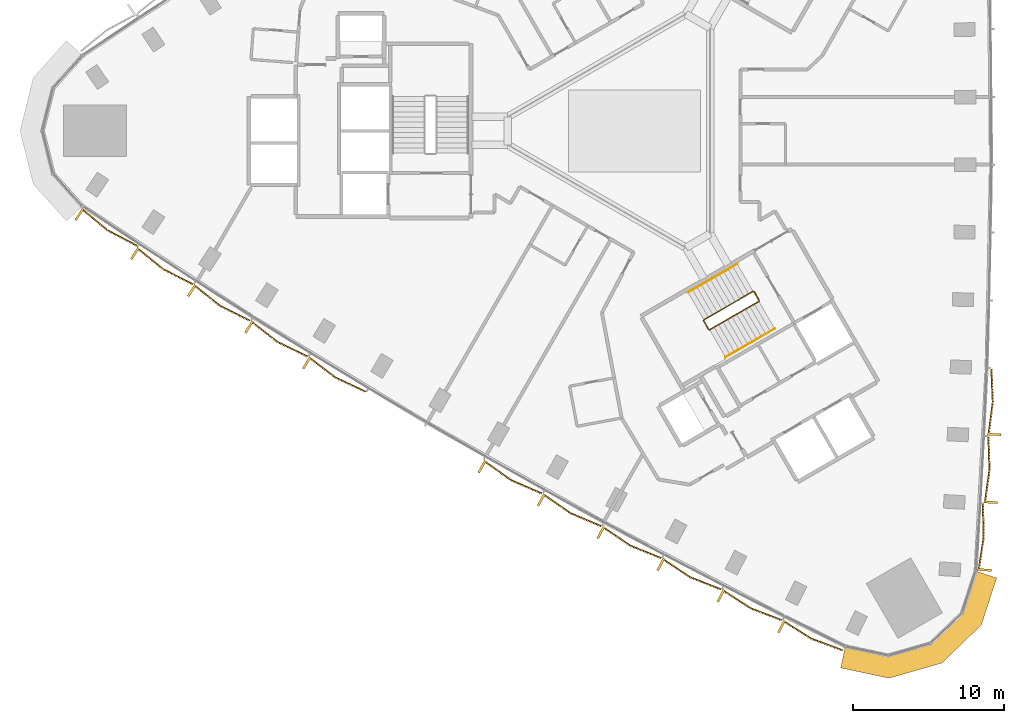
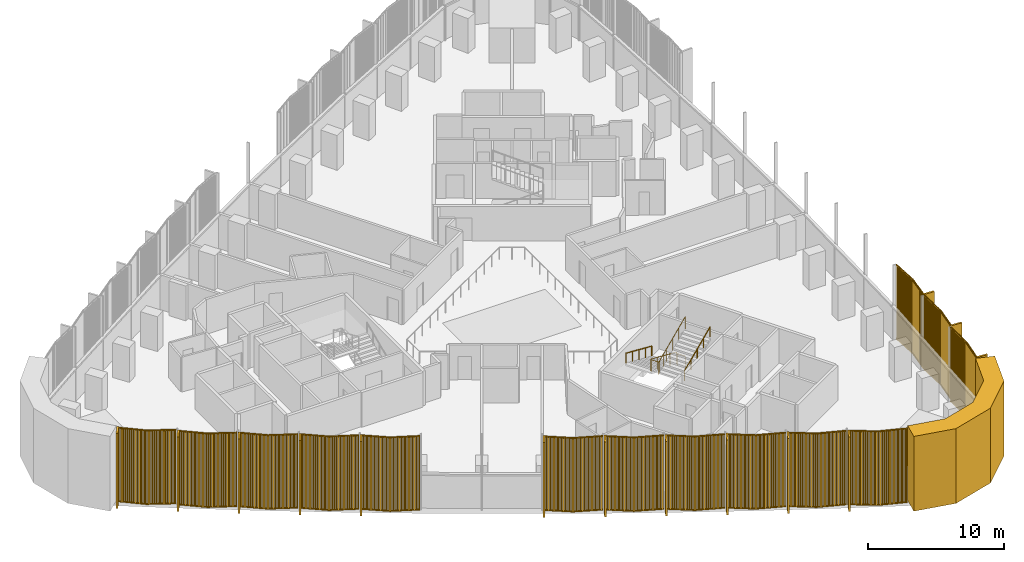
# One storey, part 13 of 15: 15 coverings, 3 railings.
"""IFC4 building model written with IfcOpenShell, lengths in metres."""

from ifc_helpers import new_model, si_unit, direction, frame, frame_2d, origin, origin_2d, place, context, subcontext, project, spatial, polyline, rectangle, circle, outline, extrude, source, transform, mapped, material, layer, layer_set, type_object, element, save


model = new_model("IFC4")

# Units and contexts
model_context = context("Model", 3, precision=1e-05, world=origin(), true_north=direction((0.0, 1.0)))
body_context = subcontext(model_context, "Body", "Model", "MODEL_VIEW")
ifc_project = project(units=[si_unit("LENGTHUNIT", "METRE"), si_unit("AREAUNIT", "SQUARE_METRE"), si_unit("VOLUMEUNIT", "CUBIC_METRE"), si_unit("PLANEANGLEUNIT", "RADIAN"), si_unit("MASSUNIT", "GRAM", prefix="KILO")], contexts=[model_context])

# Site, building, storey
site_placement = place(None, origin())
site = spatial("IfcSite", under=ifc_project, at=site_placement, CompositionType="ELEMENT")
building_placement = place(site_placement, origin())
building = spatial("IfcBuilding", under=site, at=building_placement, Name="Tamra Quay Hotel Tower", CompositionType="ELEMENT")
storey_placement = place(building_placement, frame((0.0, 0.0, 35.0)))
storey = spatial("IfcBuildingStorey", under=building, at=storey_placement, Name="L06", CompositionType="ELEMENT", Elevation=35.0)

# Covering
ifc_material_1 = material(Name="Precast concrete M60 terracotta-coloured", Category="masonry")
ifc_layer = layer(ifc_material_1, 1.449951171875)
ifc_layer_set = layer_set([ifc_layer], Name="CORNER PIER PANEL")
covering_type_1 = type_object("IfcCoveringType", Name="CORNER PIER PANEL", PredefinedType="CLADDING", material=ifc_layer_set)
covering_placement = place(storey_placement, origin())
element("IfcCovering", 1, at=covering_placement, inside=storey, type_object=covering_type_1, Name="Corner pier L06.south-west", PredefinedType="CLADDING", context=body_context, shape_type="SweptSolid", body=[
    extrude(outline(polyline([(13.948974609375, -34.148193359375), (13.6474609375, -35.56640625), (16.85205078125, -36.24755859375), (20.3486328125, -35.244873046875), (22.96533203125, -32.718017578125), (23.977783203125, -29.602294921875), (22.598876953125, -29.154296875), (21.697998046875, -31.926025390625), (19.601318359375, -33.95068359375), (16.7998046875, -34.754150390625), (13.948974609375, -34.148193359375)])), origin(), (0.0, 0.0, 1.0), 6.72509765625),
])

# Railings
ifc_material_2 = material(Name="Stair guard 1100")
railing_type_1 = type_object("IfcRailingType", Name="Stair guard 1100", PredefinedType="GUARDRAIL", material=ifc_material_2)
railing_1_placement = place(storey_placement, frame((8.245849609375, -11.221923828125, 0.0)))
element("IfcRailing", 2, at=railing_1_placement, inside=storey, type_object=railing_type_1, Name="GR", PredefinedType="GUARDRAIL", context=body_context, shape_type="SweptSolid", body=[
    extrude(circle(Radius=0.02392578125, at=origin_2d()), frame((0.0, 0.0, 1.076171875), z_axis=(-0.500043078269, 0.866000531106, 0.0), x_axis=(-0.866000531106, -0.500043078269, 0.0)), (0.0, 0.0, 1.0), 0.6591796875),
    extrude(circle(Radius=0.02392578125, at=origin_2d()), frame((-0.32958984375, 0.57080078125, 1.076171875), z_axis=(-0.41238007866, 0.110458949641, 0.904290601062), x_axis=(-0.258736085224, -0.965948051503, 0.0)), (0.0, 0.0, 1.0), 0.165771484375),
    extrude(circle(Radius=0.02392578125, at=origin_2d()), frame((-0.39794921875, 0.589111328125, 1.22607421875), z_axis=(-0.793081581205, -0.457901355053, 0.401681409319), x_axis=(0.500012686397, -0.866018079166, 0.0)), (0.0, 0.0, 1.0), 4.108154296875),
    extrude(circle(Radius=0.02392578125, at=origin_2d()), frame((-3.656005859375, -1.2919921875, 2.8759765625), z_axis=(-0.256368644879, -0.966579080015, 0.0), x_axis=(0.966579080015, -0.256368644879, 0.0)), (0.0, 0.0, 1.0), 0.070556640625),
    extrude(circle(Radius=0.02392578125, at=origin_2d()), frame((-3.674072265625, -1.360107421875, 2.8759765625), z_axis=(0.499765215335, -0.866160914346, 0.0), x_axis=(0.866160914346, 0.499765215335, 0.0)), (0.0, 0.0, 1.0), 0.658935546875),
    extrude(circle(Radius=0.02392578125, at=origin_2d()), frame((-3.3447265625, -1.930908203125, 2.8759765625), z_axis=(0.41238007866, -0.110458949641, 0.904290601062), x_axis=(0.258736085224, 0.965948051503, 0.0)), (0.0, 0.0, 1.0), 0.165771484375),
    extrude(circle(Radius=0.02392578125, at=origin_2d()), frame((-3.2763671875, -1.94921875, 3.02587890625), z_axis=(0.793081581205, 0.457901355053, 0.401681409319), x_axis=(-0.500012686397, 0.866018079166, 0.0)), (0.0, 0.0, 1.0), 4.108154296875),
    extrude(circle(Radius=0.02099609375, at=origin_2d()), origin(), (0.0, 0.0, 1.0), 1.052001953125),
    extrude(circle(Radius=0.02099609375, at=origin_2d()), frame((-0.32958984375, 0.57080078125, 0.0)), (0.0, 0.0, 1.0), 1.052001953125),
    extrude(circle(Radius=0.02099609375, at=origin_2d()), frame((-0.39794921875, 0.589111328125, 0.14990234375)), (0.0, 0.0, 1.0), 1.052001953125),
    extrude(circle(Radius=0.02099609375, at=origin_2d()), frame((-1.21240234375, 0.118896484375, 0.5625)), (0.0, 0.0, 1.0), 1.052001953125),
    extrude(circle(Radius=0.02099609375, at=origin_2d()), frame((-2.02685546875, -0.3515625, 0.97509765625)), (0.0, 0.0, 1.0), 1.052001953125),
    extrude(circle(Radius=0.02099609375, at=origin_2d()), frame((-2.841552734375, -0.82177734375, 1.387451171875)), (0.0, 0.0, 1.0), 1.052001953125),
    extrude(circle(Radius=0.02099609375, at=origin_2d()), frame((-3.656005859375, -1.2919921875, 1.800048828125)), (0.0, 0.0, 1.0), 1.052001953125),
    extrude(circle(Radius=0.02099609375, at=origin_2d()), frame((-3.674072265625, -1.360107421875, 1.800048828125)), (0.0, 0.0, 1.0), 1.052001953125),
    extrude(circle(Radius=0.02099609375, at=origin_2d()), frame((-3.3447265625, -1.930908203125, 1.800048828125)), (0.0, 0.0, 1.0), 1.052001953125),
    extrude(circle(Radius=0.02099609375, at=origin_2d()), frame((-3.2763671875, -1.94921875, 1.949951171875)), (0.0, 0.0, 1.0), 1.052001953125),
    extrude(circle(Radius=0.02099609375, at=origin_2d()), frame((-2.4619140625, -1.47900390625, 2.362548828125)), (0.0, 0.0, 1.0), 1.052001953125),
    extrude(circle(Radius=0.02099609375, at=origin_2d()), frame((-1.6474609375, -1.0087890625, 2.77490234375)), (0.0, 0.0, 1.0), 1.052001953125),
    extrude(circle(Radius=0.02099609375, at=origin_2d()), frame((-0.832763671875, -0.538330078125, 3.1875)), (0.0, 0.0, 1.0), 1.052001953125),
    extrude(circle(Radius=0.02099609375, at=origin_2d()), frame((-0.018310546875, -0.068115234375, 3.60009765625)), (0.0, 0.0, 1.0), 1.052001953125),
])
ifc_material_3 = material(Name="Stair handrail 900")
railing_type_2 = type_object("IfcRailingType", Name="Stair handrail 900", PredefinedType="HANDRAIL", material=ifc_material_3)
railing_2_placement = place(storey_placement, frame((6.7978515625, -8.814208984375, 0.14990234375)))
element("IfcRailing", 3, at=railing_2_placement, inside=storey, type_object=railing_type_2, Name="HR", PredefinedType="HANDRAIL", context=body_context, shape_type="SweptSolid", body=[
    extrude(circle(Radius=0.02392578125, at=origin_2d()), frame((0.0, 0.0, 0.8759765625), z_axis=(-0.793081112945, -0.457875966286, 0.40171127416), x_axis=(0.499992114976, -0.866029956157, 0.0)), (0.0, 0.0, 1.0), 4.10791015625),
    extrude(circle(Radius=0.02099609375, at=origin_2d()), origin(), (0.0, 0.0, 1.0), 0.851806640625),
    extrude(circle(Radius=0.02099609375, at=origin_2d()), frame((-0.814453125, -0.47021484375, 0.41259765625)), (0.0, 0.0, 1.0), 0.851806640625),
    extrude(circle(Radius=0.02099609375, at=origin_2d()), frame((-1.62890625, -0.9404296875, 0.8251953125)), (0.0, 0.0, 1.0), 0.851806640625),
    extrude(circle(Radius=0.02099609375, at=origin_2d()), frame((-2.443359375, -1.41064453125, 1.237548828125)), (0.0, 0.0, 1.0), 0.851806640625),
    extrude(circle(Radius=0.02099609375, at=origin_2d()), frame((-3.2578125, -1.880859375, 1.650146484375)), (0.0, 0.0, 1.0), 0.851806640625),
])
railing_3_placement = place(storey_placement, frame((6.01953125, -14.98974609375, 1.949951171875)))
element("IfcRailing", 4, at=railing_3_placement, inside=storey, type_object=railing_type_2, Name="HR", PredefinedType="HANDRAIL", context=body_context, shape_type="SweptSolid", body=[
    extrude(circle(Radius=0.02392578125, at=origin_2d()), frame((0.0, 0.0, 0.8759765625), z_axis=(0.793081112945, 0.457875966286, 0.40171127416), x_axis=(-0.499992114976, 0.866029956157, 0.0)), (0.0, 0.0, 1.0), 4.10791015625),
    extrude(circle(Radius=0.02099609375, at=origin_2d()), origin(), (0.0, 0.0, 1.0), 0.851806640625),
    extrude(circle(Radius=0.02099609375, at=origin_2d()), frame((0.814453125, 0.47021484375, 0.41259765625)), (0.0, 0.0, 1.0), 0.851806640625),
    extrude(circle(Radius=0.02099609375, at=origin_2d()), frame((1.62890625, 0.9404296875, 0.8251953125)), (0.0, 0.0, 1.0), 0.851806640625),
    extrude(circle(Radius=0.02099609375, at=origin_2d()), frame((2.443359375, 1.41064453125, 1.237548828125)), (0.0, 0.0, 1.0), 0.851806640625),
    extrude(circle(Radius=0.02099609375, at=origin_2d()), frame((3.2578125, 1.880859375, 1.650146484375)), (0.0, 0.0, 1.0), 0.851806640625),
])

# Coverings
ifc_material_4 = material(Name="Terracotta baguette extruded", Category="masonry")
covering_type_2 = type_object("IfcCoveringType", Name="BAGUETTE SCREEN E-V H6725", PredefinedType="USERDEFINED", material=ifc_material_4)
shared_shape_1 = source(origin(), body_context, "Body", "SweptSolid", [
    extrude(rectangle(XDim=2.2109375, YDim=0.06005859375, at=frame_2d((1.10546875, 0.030029296875))), frame((-2.207763671875, -0.057861328125, -0.1201171875), z_axis=(0.0, 0.0, 1.0), x_axis=(0.996194698092, -0.087155742748, 0.0)), (0.0, 0.0, 1.0), 0.1201171875),
    extrude(rectangle(XDim=2.2109375, YDim=0.06005859375, at=frame_2d((1.10546875, 0.030029296875))), frame((-2.207763671875, -0.057861328125, -6.72509765625), z_axis=(0.0, 0.0, 1.0), x_axis=(0.996194698092, -0.087155742748, 0.0)), (0.0, 0.0, 1.0), 0.1201171875),
    extrude(rectangle(XDim=0.070068359375, YDim=0.10009765625, at=frame_2d((0.03515625, 0.050048828125))), frame((-2.1875, -0.13232421875, -6.6650390625)), (0.0, 0.0, 1.0), 6.60498046875),
    extrude(rectangle(XDim=0.070068359375, YDim=0.10009765625, at=frame_2d((0.03515625, 0.050048828125))), frame((-2.08740234375, -0.14111328125, -6.6650390625)), (0.0, 0.0, 1.0), 6.60498046875),
    extrude(rectangle(XDim=0.070068359375, YDim=0.10009765625, at=frame_2d((0.03515625, 0.050048828125))), frame((-1.9873046875, -0.14990234375, -6.6650390625)), (0.0, 0.0, 1.0), 6.60498046875),
    extrude(rectangle(XDim=0.070068359375, YDim=0.10009765625, at=frame_2d((0.03515625, 0.050048828125))), frame((-1.88720703125, -0.15869140625, -6.6650390625)), (0.0, 0.0, 1.0), 6.60498046875),
    extrude(rectangle(XDim=0.070068359375, YDim=0.10009765625, at=frame_2d((0.03515625, 0.050048828125))), frame((-1.787109375, -0.16748046875, -6.6650390625)), (0.0, 0.0, 1.0), 6.60498046875),
    extrude(rectangle(XDim=0.070068359375, YDim=0.10009765625, at=frame_2d((0.03515625, 0.050048828125))), frame((-1.686767578125, -0.17626953125, -6.6650390625)), (0.0, 0.0, 1.0), 6.60498046875),
    extrude(rectangle(XDim=0.070068359375, YDim=0.10009765625, at=frame_2d((0.03515625, 0.050048828125))), frame((-1.586669921875, -0.184814453125, -6.6650390625)), (0.0, 0.0, 1.0), 6.60498046875),
    extrude(rectangle(XDim=0.070068359375, YDim=0.10009765625, at=frame_2d((0.03515625, 0.050048828125))), frame((-1.486572265625, -0.193603515625, -6.6650390625)), (0.0, 0.0, 1.0), 6.60498046875),
    extrude(rectangle(XDim=0.070068359375, YDim=0.10009765625, at=frame_2d((0.03515625, 0.050048828125))), frame((-1.386474609375, -0.202392578125, -6.6650390625)), (0.0, 0.0, 1.0), 6.60498046875),
    extrude(rectangle(XDim=0.070068359375, YDim=0.10009765625, at=frame_2d((0.03515625, 0.050048828125))), frame((-1.286376953125, -0.211181640625, -6.6650390625)), (0.0, 0.0, 1.0), 6.60498046875),
    extrude(rectangle(XDim=0.070068359375, YDim=0.10009765625, at=frame_2d((0.03515625, 0.050048828125))), frame((-1.186279296875, -0.219970703125, -6.6650390625)), (0.0, 0.0, 1.0), 6.60498046875),
    extrude(rectangle(XDim=0.070068359375, YDim=0.10009765625, at=frame_2d((0.03515625, 0.050048828125))), frame((-1.086181640625, -0.228759765625, -6.6650390625)), (0.0, 0.0, 1.0), 6.60498046875),
    extrude(rectangle(XDim=0.070068359375, YDim=0.10009765625, at=frame_2d((0.03515625, 0.050048828125))), frame((-0.986083984375, -0.237548828125, -6.6650390625)), (0.0, 0.0, 1.0), 6.60498046875),
    extrude(rectangle(XDim=0.070068359375, YDim=0.10009765625, at=frame_2d((0.03515625, 0.050048828125))), frame((-0.885986328125, -0.246337890625, -6.6650390625)), (0.0, 0.0, 1.0), 6.60498046875),
    extrude(rectangle(XDim=0.070068359375, YDim=0.10009765625, at=frame_2d((0.03515625, 0.050048828125))), frame((-0.785888671875, -0.2548828125, -6.6650390625)), (0.0, 0.0, 1.0), 6.60498046875),
    extrude(rectangle(XDim=0.070068359375, YDim=0.10009765625, at=frame_2d((0.03515625, 0.050048828125))), frame((-0.685791015625, -0.263671875, -6.6650390625)), (0.0, 0.0, 1.0), 6.60498046875),
    extrude(rectangle(XDim=0.070068359375, YDim=0.10009765625, at=frame_2d((0.03515625, 0.050048828125))), frame((-0.585693359375, -0.2724609375, -6.6650390625)), (0.0, 0.0, 1.0), 6.60498046875),
    extrude(rectangle(XDim=0.070068359375, YDim=0.10009765625, at=frame_2d((0.03515625, 0.050048828125))), frame((-0.485595703125, -0.28125, -6.6650390625)), (0.0, 0.0, 1.0), 6.60498046875),
    extrude(rectangle(XDim=0.070068359375, YDim=0.10009765625, at=frame_2d((0.03515625, 0.050048828125))), frame((-0.385498046875, -0.2900390625, -6.6650390625)), (0.0, 0.0, 1.0), 6.60498046875),
    extrude(rectangle(XDim=0.070068359375, YDim=0.10009765625, at=frame_2d((0.03515625, 0.050048828125))), frame((-0.285400390625, -0.298828125, -6.6650390625)), (0.0, 0.0, 1.0), 6.60498046875),
    extrude(rectangle(XDim=0.070068359375, YDim=0.10009765625, at=frame_2d((0.03515625, 0.050048828125))), frame((-0.18505859375, -0.3076171875, -6.6650390625)), (0.0, 0.0, 1.0), 6.60498046875),
    extrude(rectangle(XDim=0.070068359375, YDim=0.10009765625, at=frame_2d((0.03515625, 0.050048828125))), frame((-0.0849609375, -0.31640625, -6.6650390625)), (0.0, 0.0, 1.0), 6.60498046875),
    extrude(rectangle(XDim=2.2109375, YDim=0.06005859375, at=frame_2d((1.10546875, 0.030029296875))), frame((0.005126953125, -0.25048828125, -0.1201171875), z_axis=(0.0, 0.0, 1.0), x_axis=(0.996194698092, 0.087155742748, 0.0)), (0.0, 0.0, 1.0), 0.1201171875),
    extrude(rectangle(XDim=2.2109375, YDim=0.06005859375, at=frame_2d((1.10546875, 0.030029296875))), frame((0.005126953125, -0.25048828125, -6.72509765625), z_axis=(0.0, 0.0, 1.0), x_axis=(0.996194698092, 0.087155742748, 0.0)), (0.0, 0.0, 1.0), 0.1201171875),
    extrude(rectangle(XDim=0.070068359375, YDim=0.10009765625, at=frame_2d((0.03515625, 0.050048828125))), frame((0.01513671875, -0.31640625, -6.6650390625)), (0.0, 0.0, 1.0), 6.60498046875),
    extrude(rectangle(XDim=0.070068359375, YDim=0.10009765625, at=frame_2d((0.03515625, 0.050048828125))), frame((0.115234375, -0.3076171875, -6.6650390625)), (0.0, 0.0, 1.0), 6.60498046875),
    extrude(rectangle(XDim=0.070068359375, YDim=0.10009765625, at=frame_2d((0.03515625, 0.050048828125))), frame((0.21533203125, -0.298828125, -6.6650390625)), (0.0, 0.0, 1.0), 6.60498046875),
    extrude(rectangle(XDim=0.070068359375, YDim=0.10009765625, at=frame_2d((0.03515625, 0.050048828125))), frame((0.3154296875, -0.2900390625, -6.6650390625)), (0.0, 0.0, 1.0), 6.60498046875),
    extrude(rectangle(XDim=0.070068359375, YDim=0.10009765625, at=frame_2d((0.03515625, 0.050048828125))), frame((0.41552734375, -0.28125, -6.6650390625)), (0.0, 0.0, 1.0), 6.60498046875),
    extrude(rectangle(XDim=0.070068359375, YDim=0.10009765625, at=frame_2d((0.03515625, 0.050048828125))), frame((0.515625, -0.2724609375, -6.6650390625)), (0.0, 0.0, 1.0), 6.60498046875),
    extrude(rectangle(XDim=0.070068359375, YDim=0.10009765625, at=frame_2d((0.03515625, 0.050048828125))), frame((0.61572265625, -0.263671875, -6.6650390625)), (0.0, 0.0, 1.0), 6.60498046875),
    extrude(rectangle(XDim=0.070068359375, YDim=0.10009765625, at=frame_2d((0.03515625, 0.050048828125))), frame((0.7158203125, -0.2548828125, -6.6650390625)), (0.0, 0.0, 1.0), 6.60498046875),
    extrude(rectangle(XDim=0.070068359375, YDim=0.10009765625, at=frame_2d((0.03515625, 0.050048828125))), frame((0.81591796875, -0.246337890625, -6.6650390625)), (0.0, 0.0, 1.0), 6.60498046875),
    extrude(rectangle(XDim=0.070068359375, YDim=0.10009765625, at=frame_2d((0.03515625, 0.050048828125))), frame((0.916015625, -0.237548828125, -6.6650390625)), (0.0, 0.0, 1.0), 6.60498046875),
    extrude(rectangle(XDim=0.070068359375, YDim=0.10009765625, at=frame_2d((0.03515625, 0.050048828125))), frame((1.01611328125, -0.228759765625, -6.6650390625)), (0.0, 0.0, 1.0), 6.60498046875),
    extrude(rectangle(XDim=0.070068359375, YDim=0.10009765625, at=frame_2d((0.03515625, 0.050048828125))), frame((1.1162109375, -0.219970703125, -6.6650390625)), (0.0, 0.0, 1.0), 6.60498046875),
    extrude(rectangle(XDim=0.070068359375, YDim=0.10009765625, at=frame_2d((0.03515625, 0.050048828125))), frame((1.21630859375, -0.211181640625, -6.6650390625)), (0.0, 0.0, 1.0), 6.60498046875),
    extrude(rectangle(XDim=0.070068359375, YDim=0.10009765625, at=frame_2d((0.03515625, 0.050048828125))), frame((1.316650390625, -0.202392578125, -6.6650390625)), (0.0, 0.0, 1.0), 6.60498046875),
    extrude(rectangle(XDim=0.070068359375, YDim=0.10009765625, at=frame_2d((0.03515625, 0.050048828125))), frame((1.416748046875, -0.193603515625, -6.6650390625)), (0.0, 0.0, 1.0), 6.60498046875),
    extrude(rectangle(XDim=0.070068359375, YDim=0.10009765625, at=frame_2d((0.03515625, 0.050048828125))), frame((1.516845703125, -0.184814453125, -6.6650390625)), (0.0, 0.0, 1.0), 6.60498046875),
    extrude(rectangle(XDim=0.070068359375, YDim=0.10009765625, at=frame_2d((0.03515625, 0.050048828125))), frame((1.616943359375, -0.17626953125, -6.6650390625)), (0.0, 0.0, 1.0), 6.60498046875),
    extrude(rectangle(XDim=0.070068359375, YDim=0.10009765625, at=frame_2d((0.03515625, 0.050048828125))), frame((1.717041015625, -0.16748046875, -6.6650390625)), (0.0, 0.0, 1.0), 6.60498046875),
    extrude(rectangle(XDim=0.070068359375, YDim=0.10009765625, at=frame_2d((0.03515625, 0.050048828125))), frame((1.817138671875, -0.15869140625, -6.6650390625)), (0.0, 0.0, 1.0), 6.60498046875),
    extrude(rectangle(XDim=0.070068359375, YDim=0.10009765625, at=frame_2d((0.03515625, 0.050048828125))), frame((1.917236328125, -0.14990234375, -6.6650390625)), (0.0, 0.0, 1.0), 6.60498046875),
    extrude(rectangle(XDim=0.070068359375, YDim=0.10009765625, at=frame_2d((0.03515625, 0.050048828125))), frame((2.017333984375, -0.14111328125, -6.6650390625)), (0.0, 0.0, 1.0), 6.60498046875),
    extrude(rectangle(XDim=0.070068359375, YDim=0.10009765625, at=frame_2d((0.03515625, 0.050048828125))), frame((2.117431640625, -0.13232421875, -6.6650390625)), (0.0, 0.0, 1.0), 6.60498046875),
    extrude(rectangle(XDim=0.14990234375, YDim=0.902099609375, at=frame_2d((0.074951171875, 0.451171875))), frame((-2.202392578125, -0.89990234375, -6.72509765625)), (0.0, 0.0, 1.0), 6.72509765625),
])
for number, where, z_axis, x_axis, name in (
    (5, (22.862060546875, -26.92236328125, 6.72509765625), (0.0, 0.0, 1.0), (0.064813190551, 0.997897414733, 0.0), "Baguette screen L06.E.f00"),
    (6, (23.248779296875, -22.44677734375, 6.72509765625), (0.0, 0.0, 1.0), (0.054062166947, 0.998537571704, 0.0), "Baguette screen L06.E.f01"),
    (7, (23.46728515625, -17.96044921875, 6.72509765625), (0.0, 0.0, 1.0), (0.04328585604, 0.999062728094, 0.0), "Baguette screen L06.E.f02"),
):
    element("IfcCovering", number, at=place(storey_placement, frame(where, z_axis=z_axis, x_axis=x_axis)), inside=storey, type_object=covering_type_2, Name=name, ObjectType="BAGUETTE SCREEN", PredefinedType="USERDEFINED", context=body_context, shape_type="MappedRepresentation", body=[
        mapped(shared_shape_1, transform((0.0, 0.0, 0.0), scale=1.0)),
    ])
covering_type_3 = type_object("IfcCoveringType", Name="BAGUETTE SCREEN SW-V H6725", PredefinedType="USERDEFINED", material=ifc_material_4)
shared_shape_2 = source(origin(), body_context, "Body", "SweptSolid", [
    extrude(rectangle(XDim=2.214599609375, YDim=0.06005859375, at=frame_2d((1.107421875, 0.030029296875))), frame((-2.208740234375, -0.0576171875, -0.1201171875), z_axis=(0.0, 0.0, 1.0), x_axis=(0.994521895368, -0.104528463268, 0.0)), (0.0, 0.0, 1.0), 0.1201171875),
    extrude(rectangle(XDim=2.214599609375, YDim=0.06005859375, at=frame_2d((1.107421875, 0.030029296875))), frame((-2.208740234375, -0.0576171875, -6.72509765625), z_axis=(0.0, 0.0, 1.0), x_axis=(0.994521895368, -0.104528463268, 0.0)), (0.0, 0.0, 1.0), 0.1201171875),
    extrude(rectangle(XDim=0.070068359375, YDim=0.10009765625, at=frame_2d((0.03515625, 0.050048828125))), frame((-2.1875, -0.13330078125, -6.6650390625)), (0.0, 0.0, 1.0), 6.60498046875),
    extrude(rectangle(XDim=0.070068359375, YDim=0.10009765625, at=frame_2d((0.03515625, 0.050048828125))), frame((-2.08740234375, -0.143798828125, -6.6650390625)), (0.0, 0.0, 1.0), 6.60498046875),
    extrude(rectangle(XDim=0.070068359375, YDim=0.10009765625, at=frame_2d((0.03515625, 0.050048828125))), frame((-1.9873046875, -0.154296875, -6.6650390625)), (0.0, 0.0, 1.0), 6.60498046875),
    extrude(rectangle(XDim=0.070068359375, YDim=0.10009765625, at=frame_2d((0.03515625, 0.050048828125))), frame((-1.88720703125, -0.164794921875, -6.6650390625)), (0.0, 0.0, 1.0), 6.60498046875),
    extrude(rectangle(XDim=0.070068359375, YDim=0.10009765625, at=frame_2d((0.03515625, 0.050048828125))), frame((-1.787109375, -0.17529296875, -6.6650390625)), (0.0, 0.0, 1.0), 6.60498046875),
    extrude(rectangle(XDim=0.070068359375, YDim=0.10009765625, at=frame_2d((0.03515625, 0.050048828125))), frame((-1.686767578125, -0.185791015625, -6.6650390625)), (0.0, 0.0, 1.0), 6.60498046875),
    extrude(rectangle(XDim=0.070068359375, YDim=0.10009765625, at=frame_2d((0.03515625, 0.050048828125))), frame((-1.586669921875, -0.1962890625, -6.6650390625)), (0.0, 0.0, 1.0), 6.60498046875),
    extrude(rectangle(XDim=0.070068359375, YDim=0.10009765625, at=frame_2d((0.03515625, 0.050048828125))), frame((-1.486572265625, -0.20703125, -6.6650390625)), (0.0, 0.0, 1.0), 6.60498046875),
    extrude(rectangle(XDim=0.070068359375, YDim=0.10009765625, at=frame_2d((0.03515625, 0.050048828125))), frame((-1.386474609375, -0.217529296875, -6.6650390625)), (0.0, 0.0, 1.0), 6.60498046875),
    extrude(rectangle(XDim=0.070068359375, YDim=0.10009765625, at=frame_2d((0.03515625, 0.050048828125))), frame((-1.286376953125, -0.22802734375, -6.6650390625)), (0.0, 0.0, 1.0), 6.60498046875),
    extrude(rectangle(XDim=0.070068359375, YDim=0.10009765625, at=frame_2d((0.03515625, 0.050048828125))), frame((-1.186279296875, -0.238525390625, -6.6650390625)), (0.0, 0.0, 1.0), 6.60498046875),
    extrude(rectangle(XDim=0.070068359375, YDim=0.10009765625, at=frame_2d((0.03515625, 0.050048828125))), frame((-1.086181640625, -0.2490234375, -6.6650390625)), (0.0, 0.0, 1.0), 6.60498046875),
    extrude(rectangle(XDim=0.070068359375, YDim=0.10009765625, at=frame_2d((0.03515625, 0.050048828125))), frame((-0.986083984375, -0.259521484375, -6.6650390625)), (0.0, 0.0, 1.0), 6.60498046875),
    extrude(rectangle(XDim=0.070068359375, YDim=0.10009765625, at=frame_2d((0.03515625, 0.050048828125))), frame((-0.885986328125, -0.27001953125, -6.6650390625)), (0.0, 0.0, 1.0), 6.60498046875),
    extrude(rectangle(XDim=0.070068359375, YDim=0.10009765625, at=frame_2d((0.03515625, 0.050048828125))), frame((-0.785888671875, -0.280517578125, -6.6650390625)), (0.0, 0.0, 1.0), 6.60498046875),
    extrude(rectangle(XDim=0.070068359375, YDim=0.10009765625, at=frame_2d((0.03515625, 0.050048828125))), frame((-0.685791015625, -0.291015625, -6.6650390625)), (0.0, 0.0, 1.0), 6.60498046875),
    extrude(rectangle(XDim=0.070068359375, YDim=0.10009765625, at=frame_2d((0.03515625, 0.050048828125))), frame((-0.585693359375, -0.301513671875, -6.6650390625)), (0.0, 0.0, 1.0), 6.60498046875),
    extrude(rectangle(XDim=0.070068359375, YDim=0.10009765625, at=frame_2d((0.03515625, 0.050048828125))), frame((-0.485595703125, -0.312255859375, -6.6650390625)), (0.0, 0.0, 1.0), 6.60498046875),
    extrude(rectangle(XDim=0.070068359375, YDim=0.10009765625, at=frame_2d((0.03515625, 0.050048828125))), frame((-0.385498046875, -0.32275390625, -6.6650390625)), (0.0, 0.0, 1.0), 6.60498046875),
    extrude(rectangle(XDim=0.070068359375, YDim=0.10009765625, at=frame_2d((0.03515625, 0.050048828125))), frame((-0.285400390625, -0.333251953125, -6.6650390625)), (0.0, 0.0, 1.0), 6.60498046875),
    extrude(rectangle(XDim=0.070068359375, YDim=0.10009765625, at=frame_2d((0.03515625, 0.050048828125))), frame((-0.18505859375, -0.34375, -6.6650390625)), (0.0, 0.0, 1.0), 6.60498046875),
    extrude(rectangle(XDim=0.070068359375, YDim=0.10009765625, at=frame_2d((0.03515625, 0.050048828125))), frame((-0.0849609375, -0.354248046875, -6.6650390625)), (0.0, 0.0, 1.0), 6.60498046875),
    extrude(rectangle(XDim=2.214599609375, YDim=0.06005859375, at=frame_2d((1.107421875, 0.030029296875))), frame((0.00634765625, -0.2890625, -0.1201171875), z_axis=(0.0, 0.0, 1.0), x_axis=(0.994521895368, 0.104528463268, 0.0)), (0.0, 0.0, 1.0), 0.1201171875),
    extrude(rectangle(XDim=2.214599609375, YDim=0.06005859375, at=frame_2d((1.107421875, 0.030029296875))), frame((0.00634765625, -0.2890625, -6.72509765625), z_axis=(0.0, 0.0, 1.0), x_axis=(0.994521895368, 0.104528463268, 0.0)), (0.0, 0.0, 1.0), 0.1201171875),
    extrude(rectangle(XDim=0.070068359375, YDim=0.10009765625, at=frame_2d((0.03515625, 0.050048828125))), frame((0.01513671875, -0.354248046875, -6.6650390625)), (0.0, 0.0, 1.0), 6.60498046875),
    extrude(rectangle(XDim=0.070068359375, YDim=0.10009765625, at=frame_2d((0.03515625, 0.050048828125))), frame((0.115234375, -0.34375, -6.6650390625)), (0.0, 0.0, 1.0), 6.60498046875),
    extrude(rectangle(XDim=0.070068359375, YDim=0.10009765625, at=frame_2d((0.03515625, 0.050048828125))), frame((0.21533203125, -0.333251953125, -6.6650390625)), (0.0, 0.0, 1.0), 6.60498046875),
    extrude(rectangle(XDim=0.070068359375, YDim=0.10009765625, at=frame_2d((0.03515625, 0.050048828125))), frame((0.3154296875, -0.32275390625, -6.6650390625)), (0.0, 0.0, 1.0), 6.60498046875),
    extrude(rectangle(XDim=0.070068359375, YDim=0.10009765625, at=frame_2d((0.03515625, 0.050048828125))), frame((0.41552734375, -0.312255859375, -6.6650390625)), (0.0, 0.0, 1.0), 6.60498046875),
    extrude(rectangle(XDim=0.070068359375, YDim=0.10009765625, at=frame_2d((0.03515625, 0.050048828125))), frame((0.515625, -0.301513671875, -6.6650390625)), (0.0, 0.0, 1.0), 6.60498046875),
    extrude(rectangle(XDim=0.070068359375, YDim=0.10009765625, at=frame_2d((0.03515625, 0.050048828125))), frame((0.61572265625, -0.291015625, -6.6650390625)), (0.0, 0.0, 1.0), 6.60498046875),
    extrude(rectangle(XDim=0.070068359375, YDim=0.10009765625, at=frame_2d((0.03515625, 0.050048828125))), frame((0.7158203125, -0.280517578125, -6.6650390625)), (0.0, 0.0, 1.0), 6.60498046875),
    extrude(rectangle(XDim=0.070068359375, YDim=0.10009765625, at=frame_2d((0.03515625, 0.050048828125))), frame((0.81591796875, -0.27001953125, -6.6650390625)), (0.0, 0.0, 1.0), 6.60498046875),
    extrude(rectangle(XDim=0.070068359375, YDim=0.10009765625, at=frame_2d((0.03515625, 0.050048828125))), frame((0.916015625, -0.259521484375, -6.6650390625)), (0.0, 0.0, 1.0), 6.60498046875),
    extrude(rectangle(XDim=0.070068359375, YDim=0.10009765625, at=frame_2d((0.03515625, 0.050048828125))), frame((1.01611328125, -0.2490234375, -6.6650390625)), (0.0, 0.0, 1.0), 6.60498046875),
    extrude(rectangle(XDim=0.070068359375, YDim=0.10009765625, at=frame_2d((0.03515625, 0.050048828125))), frame((1.1162109375, -0.238525390625, -6.6650390625)), (0.0, 0.0, 1.0), 6.60498046875),
    extrude(rectangle(XDim=0.070068359375, YDim=0.10009765625, at=frame_2d((0.03515625, 0.050048828125))), frame((1.21630859375, -0.22802734375, -6.6650390625)), (0.0, 0.0, 1.0), 6.60498046875),
    extrude(rectangle(XDim=0.070068359375, YDim=0.10009765625, at=frame_2d((0.03515625, 0.050048828125))), frame((1.316650390625, -0.217529296875, -6.6650390625)), (0.0, 0.0, 1.0), 6.60498046875),
    extrude(rectangle(XDim=0.070068359375, YDim=0.10009765625, at=frame_2d((0.03515625, 0.050048828125))), frame((1.416748046875, -0.20703125, -6.6650390625)), (0.0, 0.0, 1.0), 6.60498046875),
    extrude(rectangle(XDim=0.070068359375, YDim=0.10009765625, at=frame_2d((0.03515625, 0.050048828125))), frame((1.516845703125, -0.1962890625, -6.6650390625)), (0.0, 0.0, 1.0), 6.60498046875),
    extrude(rectangle(XDim=0.070068359375, YDim=0.10009765625, at=frame_2d((0.03515625, 0.050048828125))), frame((1.616943359375, -0.185791015625, -6.6650390625)), (0.0, 0.0, 1.0), 6.60498046875),
    extrude(rectangle(XDim=0.070068359375, YDim=0.10009765625, at=frame_2d((0.03515625, 0.050048828125))), frame((1.717041015625, -0.17529296875, -6.6650390625)), (0.0, 0.0, 1.0), 6.60498046875),
    extrude(rectangle(XDim=0.070068359375, YDim=0.10009765625, at=frame_2d((0.03515625, 0.050048828125))), frame((1.817138671875, -0.164794921875, -6.6650390625)), (0.0, 0.0, 1.0), 6.60498046875),
    extrude(rectangle(XDim=0.070068359375, YDim=0.10009765625, at=frame_2d((0.03515625, 0.050048828125))), frame((1.917236328125, -0.154296875, -6.6650390625)), (0.0, 0.0, 1.0), 6.60498046875),
    extrude(rectangle(XDim=0.070068359375, YDim=0.10009765625, at=frame_2d((0.03515625, 0.050048828125))), frame((2.017333984375, -0.143798828125, -6.6650390625)), (0.0, 0.0, 1.0), 6.60498046875),
    extrude(rectangle(XDim=0.070068359375, YDim=0.10009765625, at=frame_2d((0.03515625, 0.050048828125))), frame((2.117431640625, -0.13330078125, -6.6650390625)), (0.0, 0.0, 1.0), 6.60498046875),
    extrude(rectangle(XDim=0.14990234375, YDim=0.902099609375, at=frame_2d((0.074951171875, 0.451171875))), frame((-2.202392578125, -0.89990234375, -6.72509765625)), (0.0, 0.0, 1.0), 6.72509765625),
])
for number, where, z_axis, x_axis, name in (
    (8, (-34.74658203125, -6.337890625, 6.72509765625), (0.0, 0.0, 1.0), (0.831797916254, -0.555078576884, 0.0), "Baguette screen L06.SW.f00"),
    (9, (-31.063720703125, -8.91064453125, 6.72509765625), (0.0, 0.0, 1.0), (0.837727820256, -0.546087995811, 0.0), "Baguette screen L06.SW.f01"),
    (10, (-27.287841796875, -11.343017578125, 6.72509765625), (0.0, 0.0, 1.0), (0.843570774484, -0.537018015002, 0.0), "Baguette screen L06.SW.f02"),
    (11, (-23.486083984375, -13.734375, 6.72509765625), (0.0, 0.0, 1.0), (0.849331290722, -0.527860169552, 0.0), "Baguette screen L06.SW.f03"),
    (12, (-19.658447265625, -16.084716796875, 6.72509765625), (0.0, 0.0, 1.0), (0.854993446708, -0.518638801177, 0.0), "Baguette screen L06.SW.f04"),
    (13, (-8.026611328125, -22.884765625, 6.72509765625), (0.0, 0.0, 1.0), (0.871392732178, -0.490586084502, 0.0), "Baguette screen L06.SW.f07"),
    (14, (-4.1005859375, -25.067138671875, 6.72509765625), (0.0, 0.0, 1.0), (0.876651100562, -0.48112664433, 0.0), "Baguette screen L06.SW.f08"),
    (15, (-0.1513671875, -27.206787109375, 6.72509765625), (0.0, 0.0, 1.0), (0.88180596184, -0.471612389218, 0.0), "Baguette screen L06.SW.f09"),
    (16, (3.820556640625, -29.303466796875, 6.72509765625), (0.0, 0.0, 1.0), (0.886856630524, -0.462044713092, 0.0), "Baguette screen L06.SW.f10"),
    (17, (7.815185546875, -31.357177734375, 6.72509765625), (0.0, 0.0, 1.0), (0.891789987202, -0.452449575893, 0.0), "Baguette screen L06.SW.f11"),
    (18, (11.831298828125, -33.367919921875, 6.72509765625), (0.0, 0.0, 1.0), (0.896611106805, -0.442818837849, 0.0), "Baguette screen L06.SW.f12"),
):
    element("IfcCovering", number, at=place(storey_placement, frame(where, z_axis=z_axis, x_axis=x_axis)), inside=storey, type_object=covering_type_3, Name=name, ObjectType="BAGUETTE SCREEN", PredefinedType="USERDEFINED", context=body_context, shape_type="MappedRepresentation", body=[
        mapped(shared_shape_2, transform((0.0, 0.0, 0.0), scale=1.0)),
    ])

save(model, "model.ifc")
